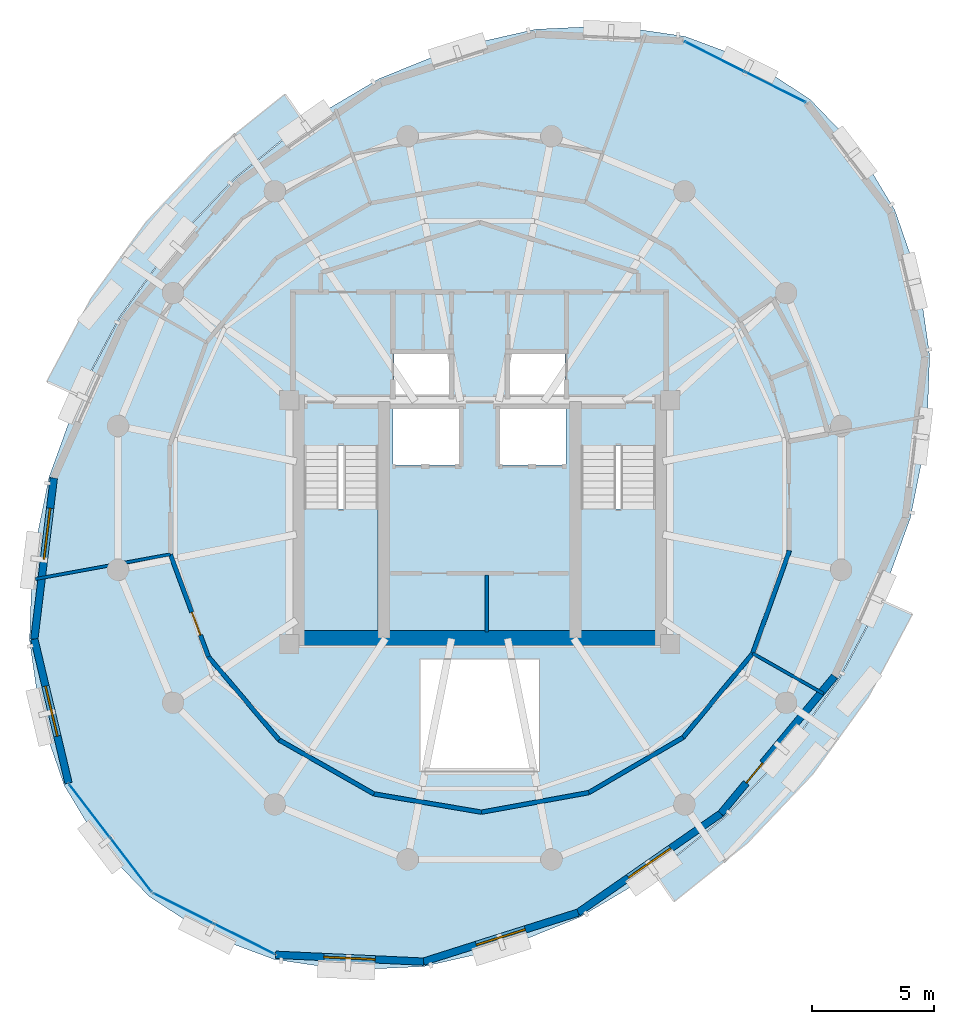
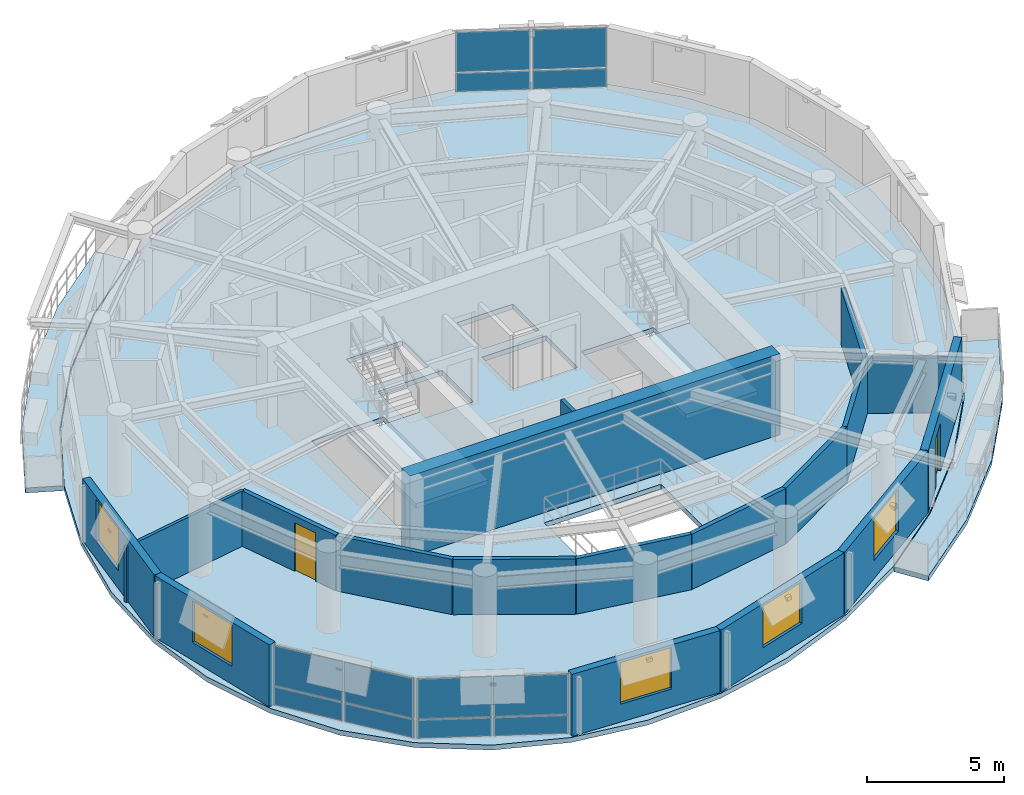
# One storey, part 6 of 11: 18 walls, 12 plates, 5 slabs, 5 windows, 2 doors, 7 openings, 5 elements without a shape of their own.
"""IFC4 building model written with IfcOpenShell, lengths in metres."""

import ifcopenshell
import ifcopenshell.guid

model = None  # the IFC model being written
_history = None  # IfcOwnerHistory: only IFC2X3 demands one
_inside = {}  # id of a spatial element -> (the spatial element, [elements in it])
_under = {}  # id of a project, library or spatial element -> (it, [spatial elements below it])
_declared = {}  # id of a project -> (the project, [libraries it declares])
_typed = {}  # id of a type object -> (the type object, [elements of that type])
_made_of = {}  # id of a material, layer set ... -> (it, [elements and type objects made of it])


def new_model(schema):
    """Start an empty IFC model of exactly this schema.

    Asked for "IFC4X3", IfcOpenShell would pick the latest addendum, in which some entities
    have other attributes; the version numbers below select the first issue.
    IFC2X3 requires an IfcOwnerHistory on every rooted entity: one is made here for all.
    """
    global model, _history
    if schema == "IFC4X3":
        model = ifcopenshell.file(schema_version=(4, 3, 0, 0))
    else:
        model = ifcopenshell.file(schema=schema)
    _inside.clear()
    _under.clear()
    _declared.clear()
    _typed.clear()
    _made_of.clear()
    _history = None
    if model.schema == "IFC2X3":
        org = make("IfcOrganization", Name="unknown")
        user = make(
            "IfcPersonAndOrganization",
            ThePerson=make("IfcPerson", FamilyName="unknown"),
            TheOrganization=org,
        )
        app = make(
            "IfcApplication",
            ApplicationDeveloper=org,
            Version="unknown",
            ApplicationFullName="unknown",
            ApplicationIdentifier="unknown",
        )
        _history = make(
            "IfcOwnerHistory",
            OwningUser=user,
            OwningApplication=app,
            ChangeAction="ADDED",
            CreationDate=0,
        )
    return model


def make(cls, **values):
    """One entity of the class cls with the attributes given. An attribute that is None is left unset."""
    return model.create_entity(
        cls, **{name: value for name, value in values.items() if value is not None}
    )


def rooted(cls, **values):
    """An entity with a GlobalId (a new one), such as an element, a storey or a relation."""
    return make(cls, GlobalId=ifcopenshell.guid.new(), OwnerHistory=_history, **values)


def si_unit(unit_type, name, prefix=None):
    """IfcSIUnit, for example si_unit("LENGTHUNIT", "METRE", prefix="MILLI")."""
    return make("IfcSIUnit", UnitType=unit_type, Prefix=prefix, Name=name)


def assignment(units):
    """IfcUnitAssignment: the units of a project."""
    return None if units is None else make("IfcUnitAssignment", Units=units)


def point(xyz):
    """IfcCartesianPoint."""
    return None if xyz is None else make("IfcCartesianPoint", Coordinates=xyz)


def direction(xyz):
    """IfcDirection."""
    return None if xyz is None else make("IfcDirection", DirectionRatios=xyz)


def frame(location, z_axis=None, x_axis=None):
    """IfcAxis2Placement3D, a coordinate frame: its origin and axes. An axis left out is left unset."""
    return make(
        "IfcAxis2Placement3D",
        Location=point(location),
        Axis=direction(z_axis),
        RefDirection=direction(x_axis),
    )


def frame_2d(location, x_axis=None):
    """IfcAxis2Placement2D, a coordinate frame in the plane: its origin and x axis."""
    return make(
        "IfcAxis2Placement2D", Location=point(location), RefDirection=direction(x_axis)
    )


def origin():
    """The frame at (0, 0, 0) with its axes left unset."""
    return frame((0.0, 0.0, 0.0))


def origin_2d():
    """The frame at (0, 0) in the plane with its x axis left unset."""
    return frame_2d((0.0, 0.0))


def place(relative_to, where):
    """IfcLocalPlacement: puts the frame where relative to a parent placement (None: the world)."""
    return make(
        "IfcLocalPlacement", PlacementRelTo=relative_to, RelativePlacement=where
    )


def context(
    kind, dimensions, precision=None, world=None, true_north=None, identifier=None
):
    """IfcGeometricRepresentationContext, for example the 3D "Model" context."""
    return make(
        "IfcGeometricRepresentationContext",
        ContextIdentifier=identifier,
        ContextType=kind,
        CoordinateSpaceDimension=dimensions,
        Precision=precision,
        WorldCoordinateSystem=world,
        TrueNorth=true_north,
    )


def subcontext(parent, identifier, kind, view, scale=None):
    """IfcGeometricRepresentationSubContext, for example "Body" below "Model"."""
    return make(
        "IfcGeometricRepresentationSubContext",
        ContextIdentifier=identifier,
        ContextType=kind,
        ParentContext=parent,
        TargetScale=scale,
        TargetView=view,
    )


def project(units=None, contexts=None):
    """IfcProject with its units and contexts."""
    return rooted(
        "IfcProject",
        Name="project",
        RepresentationContexts=contexts,
        UnitsInContext=assignment(units),
    )


def spatial(cls, under=None, at=None, **own):
    """A site, building, storey or space (cls), placed at a placement, below another one or the project."""
    s = rooted(cls, ObjectPlacement=at, **own)
    if under is not None:
        _under.setdefault(under.id(), (under, []))[1].append(s)
    return s


def polyline(points):
    """IfcPolyline through the points."""
    return make("IfcPolyline", Points=[point(p) for p in points])


def profile(cls, at=None, kind="AREA", **sizes):
    """A parametric profile (cls). Its sizes go by their IFC names, for example OverallWidth=200.0."""
    return make(cls, ProfileType=kind, Position=at, **sizes)


def rectangle(**sizes):
    """IfcRectangleProfileDef."""
    return profile("IfcRectangleProfileDef", **sizes)


def outline(outer, holes=None, kind="AREA"):
    """IfcArbitraryClosedProfileDef: a profile drawn as a closed curve; with holes, ...WithVoids."""
    if holes is None:
        return make("IfcArbitraryClosedProfileDef", ProfileType=kind, OuterCurve=outer)
    return make(
        "IfcArbitraryProfileDefWithVoids",
        ProfileType=kind,
        OuterCurve=outer,
        InnerCurves=holes,
    )


def extrude(swept, where, along, depth):
    """IfcExtrudedAreaSolid: the profile swept, set in the frame where, extruded along a direction by depth."""
    return make(
        "IfcExtrudedAreaSolid",
        SweptArea=swept,
        Position=where,
        ExtrudedDirection=direction(along),
        Depth=depth,
    )


def shape(context_of_items, identifier, shape_type, items):
    """IfcShapeRepresentation: the items that make up one representation, for example the "Body"."""
    return make(
        "IfcShapeRepresentation",
        ContextOfItems=context_of_items,
        RepresentationIdentifier=identifier,
        RepresentationType=shape_type,
        Items=items,
    )


def material(Name=None, Category=None):
    """IfcMaterial."""
    return make("IfcMaterial", Name=Name, Category=Category)


def layer(
    of_material, thickness, ventilated=None, Name=None, Category=None, Priority=None
):
    """IfcMaterialLayer: one layer of a wall or slab, of a material (None: an air gap)."""
    return make(
        "IfcMaterialLayer",
        Material=of_material,
        LayerThickness=thickness,
        IsVentilated=ventilated,
        Name=Name,
        Category=Category,
        Priority=Priority,
    )


def layer_set(layers, Name=None):
    """IfcMaterialLayerSet."""
    return make("IfcMaterialLayerSet", MaterialLayers=layers, LayerSetName=Name)


def made_of(thing, what):
    """Note that an element or type object is made of a material, layer set ...; save() writes the relation."""
    if what is not None:
        _made_of.setdefault(what.id(), (what, []))[1].append(thing)
    return thing


def type_object(cls, material=None, **own):
    """A type object (cls), such as IfcWallType, which elements share."""
    return made_of(rooted(cls, **own), material)


def element(
    cls,
    number,
    at=None,
    inside=None,
    cuts=None,
    type_object=None,
    material=None,
    context=None,
    identifier="Body",
    shape_type=None,
    held_by="IfcProductDefinitionShape",
    body=None,
    shapes=None,
    **own,
):
    """One element of the class cls, such as IfcWall. Its Tag is "e" and its number.

    at: its placement. inside: the storey or other place that contains it. cuts: it is an
    opening in that element (IfcRelVoidsElement). A single representation is given by context,
    identifier, shape_type and body (its items); several are given by shapes. held_by: the class
    of the entity that holds the representations. save() writes the other relations.
    """
    e = rooted(cls, Tag="e%d" % number, ObjectPlacement=at, **own)
    if body is not None:
        shapes = [shape(context, identifier, shape_type, body)]
    if shapes is not None:
        e.Representation = make(held_by, Representations=shapes)
    if inside is not None:
        _inside.setdefault(inside.id(), (inside, []))[1].append(e)
    if cuts is not None:
        rooted(
            "IfcRelVoidsElement", RelatingBuildingElement=cuts, RelatedOpeningElement=e
        )
    if type_object is not None:
        _typed.setdefault(type_object.id(), (type_object, []))[1].append(e)
    return made_of(e, material)


def fill(opening, filler):
    """IfcRelFillsElement: the door or window that sits in an opening."""
    return rooted(
        "IfcRelFillsElement",
        RelatingOpeningElement=opening,
        RelatedBuildingElement=filler,
    )


def aggregate(whole, parts):
    """IfcRelAggregates: a whole, such as a stair, and the parts it consists of."""
    return rooted("IfcRelAggregates", RelatingObject=whole, RelatedObjects=parts)


def save(model, path):
    """Write the relations noted so far, then the file.

    IfcRelAggregates (storeys below a building ...), IfcRelContainedInSpatialStructure (elements
    in a storey), IfcRelDefinesByType, IfcRelAssociatesMaterial and IfcRelDeclares: one each for
    every whole, place, type object, material and project.
    """
    for whole, parts in _under.values():
        aggregate(whole, parts)
    for where, things in _inside.values():
        rooted(
            "IfcRelContainedInSpatialStructure",
            RelatedElements=things,
            RelatingStructure=where,
        )
    for kind, things in _typed.values():
        rooted("IfcRelDefinesByType", RelatedObjects=things, RelatingType=kind)
    for what, things in _made_of.values():
        rooted("IfcRelAssociatesMaterial", RelatedObjects=things, RelatingMaterial=what)
    for by, libraries in _declared.values():
        rooted("IfcRelDeclares", RelatingContext=by, RelatedDefinitions=libraries)
    model.write(path)


model = new_model("IFC4")

# Units and contexts
model_context = context("Model", 3, precision=1e-05, world=origin(), true_north=direction((0.0, 1.0)))
body_context = subcontext(model_context, "Body", "Model", "MODEL_VIEW")
ifc_project = project(units=[si_unit("LENGTHUNIT", "METRE"), si_unit("AREAUNIT", "SQUARE_METRE"), si_unit("VOLUMEUNIT", "CUBIC_METRE"), si_unit("PLANEANGLEUNIT", "RADIAN"), si_unit("MASSUNIT", "GRAM", prefix="KILO"), si_unit("THERMODYNAMICTEMPERATUREUNIT", "KELVIN"), si_unit("POWERUNIT", "WATT")], contexts=[model_context])

# Site, building, storey
site_placement = place(None, origin())
site = spatial("IfcSite", under=ifc_project, at=site_placement, CompositionType="ELEMENT")
building_placement = place(site_placement, origin())
building = spatial("IfcBuilding", under=site, at=building_placement, Name="Ocrelia Relay Tower", CompositionType="ELEMENT")
storey_placement = place(building_placement, frame((0.0, 0.0, 241.199951171875)))
storey = spatial("IfcBuildingStorey", under=building, at=storey_placement, Name="L59", CompositionType="ELEMENT", Elevation=241.199951171875)

# Curtain wall, plates
ifc_material_1 = material(Name="Aluminium and solar-control low-E glass", Category="aluminium")
ifc_layer_1 = layer(ifc_material_1, 0.179931640625, Name="Aluminium and solar-control low-E glass")
ifc_layer_set_1 = layer_set([ifc_layer_1], Name="Aluminium and solar-control low-E glass")
curtain_wall_type = type_object("IfcCurtainWallType", Name="CW-SYS-Z4-EXEC", PredefinedType="NOTDEFINED", material=ifc_layer_set_1)
curtain_wall_1_placement = place(storey_placement, origin())
curtain_wall_1 = element("IfcCurtainWall", 1, at=curtain_wall_1_placement, inside=storey, type_object=curtain_wall_type, Name="L59 Elliptical Tower Curtain Wall Bay 01", PredefinedType="NOTDEFINED")
ifc_material_2 = material(Name="Clear double-glazed low-E glass", Category="glass")
ifc_layer_2 = layer(ifc_material_2, 0.031982421875, Name="Clear double-glazed low-E glass")
ifc_layer_set_2 = layer_set([ifc_layer_2], Name="Clear double-glazed low-E glass")
plate_type = type_object("IfcPlateType", Name="CW-SYS-Z4-EXEC-PNL", PredefinedType="CURTAIN_PANEL", material=ifc_layer_set_2)
plate_1_placement = place(storey_placement, frame((46.12353515625, 42.81103515625, 0.06005859375), z_axis=(0.0, 0.0, 1.0), x_axis=(-0.893387671077, 0.449286622511, 0.0)))
plate_1 = element("IfcPlate", 2, at=plate_1_placement, type_object=plate_type, Name="CW-Z4 panel 1.1", PredefinedType="CURTAIN_PANEL", context=body_context, shape_type="SweptSolid", body=[
    extrude(rectangle(XDim=2.7275390625, YDim=0.031982421875, at=origin_2d()), origin(), (0.0, 0.0, 1.0), 0.81005859375),
])
plate_2_placement = place(storey_placement, frame((46.12353515625, 42.81103515625, 0.929931640625), z_axis=(0.0, 0.0, 1.0), x_axis=(-0.893387671077, 0.449286622511, 0.0)))
plate_2 = element("IfcPlate", 3, at=plate_2_placement, type_object=plate_type, Name="CW-Z4 panel 1.2", PredefinedType="CURTAIN_PANEL", context=body_context, shape_type="SweptSolid", body=[
    extrude(rectangle(XDim=2.7275390625, YDim=0.031982421875, at=origin_2d()), origin(), (0.0, 0.0, 1.0), 1.77001953125),
])
plate_3_placement = place(storey_placement, frame((43.628662109375, 44.065673828125, 0.06005859375), z_axis=(0.0, 0.0, 1.0), x_axis=(-0.893387671077, 0.449286622511, 0.0)))
plate_3 = element("IfcPlate", 4, at=plate_3_placement, type_object=plate_type, Name="CW-Z4 panel 2.1", PredefinedType="CURTAIN_PANEL", context=body_context, shape_type="SweptSolid", body=[
    extrude(rectangle(XDim=2.7275390625, YDim=0.031982421875, at=origin_2d()), origin(), (0.0, 0.0, 1.0), 0.81005859375),
])
plate_4_placement = place(storey_placement, frame((43.628662109375, 44.065673828125, 0.929931640625), z_axis=(0.0, 0.0, 1.0), x_axis=(-0.893387671077, 0.449286622511, 0.0)))
plate_4 = element("IfcPlate", 5, at=plate_4_placement, type_object=plate_type, Name="CW-Z4 panel 2.2", PredefinedType="CURTAIN_PANEL", context=body_context, shape_type="SweptSolid", body=[
    extrude(rectangle(XDim=2.7275390625, YDim=0.031982421875, at=origin_2d()), origin(), (0.0, 0.0, 1.0), 1.77001953125),
])
aggregate(curtain_wall_1, [plate_1, plate_2, plate_3, plate_4])

curtain_wall_2_placement = place(storey_placement, origin())
curtain_wall_2 = element("IfcCurtainWall", 6, at=curtain_wall_2_placement, inside=storey, type_object=curtain_wall_type, Name="L59 Elliptical Tower Curtain Wall Bay 09", PredefinedType="NOTDEFINED")
plate_5_placement = place(storey_placement, frame((18.0361328125, 13.1845703125, 0.06005859375), z_axis=(0.0, 0.0, 1.0), x_axis=(0.607348280111, -0.794435690693, 0.0)))
plate_5 = element("IfcPlate", 7, at=plate_5_placement, type_object=plate_type, Name="CW-Z4 panel 1.1", PredefinedType="CURTAIN_PANEL", context=body_context, shape_type="SweptSolid", body=[
    extrude(rectangle(XDim=2.7275390625, YDim=0.031982421875, at=origin_2d()), origin(), (0.0, 0.0, 1.0), 0.81005859375),
])
plate_6_placement = place(storey_placement, frame((18.0361328125, 13.1845703125, 0.929931640625), z_axis=(0.0, 0.0, 1.0), x_axis=(0.607348280111, -0.794435690693, 0.0)))
plate_6 = element("IfcPlate", 8, at=plate_6_placement, type_object=plate_type, Name="CW-Z4 panel 1.2", PredefinedType="CURTAIN_PANEL", context=body_context, shape_type="SweptSolid", body=[
    extrude(rectangle(XDim=2.7275390625, YDim=0.031982421875, at=origin_2d()), origin(), (0.0, 0.0, 1.0), 1.77001953125),
])
plate_7_placement = place(storey_placement, frame((19.732177734375, 10.966064453125, 0.06005859375), z_axis=(0.0, 0.0, 1.0), x_axis=(0.607348280111, -0.794435690693, 0.0)))
plate_7 = element("IfcPlate", 9, at=plate_7_placement, type_object=plate_type, Name="CW-Z4 panel 2.1", PredefinedType="CURTAIN_PANEL", context=body_context, shape_type="SweptSolid", body=[
    extrude(rectangle(XDim=2.7275390625, YDim=0.031982421875, at=origin_2d()), origin(), (0.0, 0.0, 1.0), 0.81005859375),
])
plate_8_placement = place(storey_placement, frame((19.732177734375, 10.966064453125, 0.929931640625), z_axis=(0.0, 0.0, 1.0), x_axis=(0.607348280111, -0.794435690693, 0.0)))
plate_8 = element("IfcPlate", 10, at=plate_8_placement, type_object=plate_type, Name="CW-Z4 panel 2.2", PredefinedType="CURTAIN_PANEL", context=body_context, shape_type="SweptSolid", body=[
    extrude(rectangle(XDim=2.7275390625, YDim=0.031982421875, at=origin_2d()), origin(), (0.0, 0.0, 1.0), 1.77001953125),
])
aggregate(curtain_wall_2, [plate_5, plate_6, plate_7, plate_8])

curtain_wall_3_placement = place(storey_placement, origin())
curtain_wall_3 = element("IfcCurtainWall", 11, at=curtain_wall_3_placement, inside=storey, type_object=curtain_wall_type, Name="L59 Elliptical Tower Curtain Wall Bay 10", PredefinedType="NOTDEFINED")
plate_9_placement = place(storey_placement, frame((21.87646484375, 9.18896484375, 0.06005859375), z_axis=(0.0, 0.0, 1.0), x_axis=(0.893387671077, -0.449286622511, 0.0)))
plate_9 = element("IfcPlate", 12, at=plate_9_placement, type_object=plate_type, Name="CW-Z4 panel 1.1", PredefinedType="CURTAIN_PANEL", context=body_context, shape_type="SweptSolid", body=[
    extrude(rectangle(XDim=2.7275390625, YDim=0.031982421875, at=origin_2d()), origin(), (0.0, 0.0, 1.0), 0.81005859375),
])
plate_10_placement = place(storey_placement, frame((21.87646484375, 9.18896484375, 0.929931640625), z_axis=(0.0, 0.0, 1.0), x_axis=(0.893387671077, -0.449286622511, 0.0)))
plate_10 = element("IfcPlate", 13, at=plate_10_placement, type_object=plate_type, Name="CW-Z4 panel 1.2", PredefinedType="CURTAIN_PANEL", context=body_context, shape_type="SweptSolid", body=[
    extrude(rectangle(XDim=2.7275390625, YDim=0.031982421875, at=origin_2d()), origin(), (0.0, 0.0, 1.0), 1.77001953125),
])
plate_11_placement = place(storey_placement, frame((24.371337890625, 7.934326171875, 0.06005859375), z_axis=(0.0, 0.0, 1.0), x_axis=(0.893387671077, -0.449286622511, 0.0)))
plate_11 = element("IfcPlate", 14, at=plate_11_placement, type_object=plate_type, Name="CW-Z4 panel 2.1", PredefinedType="CURTAIN_PANEL", context=body_context, shape_type="SweptSolid", body=[
    extrude(rectangle(XDim=2.7275390625, YDim=0.031982421875, at=origin_2d()), origin(), (0.0, 0.0, 1.0), 0.81005859375),
])
plate_12_placement = place(storey_placement, frame((24.371337890625, 7.934326171875, 0.929931640625), z_axis=(0.0, 0.0, 1.0), x_axis=(0.893387671077, -0.449286622511, 0.0)))
plate_12 = element("IfcPlate", 15, at=plate_12_placement, type_object=plate_type, Name="CW-Z4 panel 2.2", PredefinedType="CURTAIN_PANEL", context=body_context, shape_type="SweptSolid", body=[
    extrude(rectangle(XDim=2.7275390625, YDim=0.031982421875, at=origin_2d()), origin(), (0.0, 0.0, 1.0), 1.77001953125),
])
aggregate(curtain_wall_3, [plate_9, plate_10, plate_11, plate_12])

# Slabs
ifc_material_3 = material(Name="Precast concrete C40/50", Category="concrete")
ifc_layer_3 = layer(ifc_material_3, 0.219970703125, Name="Precast concrete C40/50")
ifc_layer_set_3 = layer_set([ifc_layer_3], Name="Precast concrete C40/50")
slab_type_1 = type_object("IfcSlabType", Name="SL-BALC-220", PredefinedType="FLOOR", material=ifc_layer_set_3)
slab_1_placement = place(storey_placement, frame((0.0, 0.0, -0.219970703125)))
element("IfcSlab", 16, at=slab_1_placement, inside=storey, type_object=slab_type_1, Name="L59 Planted Loggia Balcony B1", PredefinedType="FLOOR", context=body_context, shape_type="SweptSolid", body=[
    extrude(outline(polyline([(26.816162109375, 41.381103515625), (25.392578125, 40.240234375), (23.968994140625, 39.099609375), (21.426513671875, 36.420166015625), (19.265869140625, 33.42431640625), (18.4091796875, 31.813720703125), (17.552490234375, 30.203125), (16.279052734375, 30.769287109375), (17.180908203125, 32.465087890625), (18.0830078125, 34.16064453125), (20.35400390625, 37.30908203125), (23.02587890625, 40.125), (24.524658203125, 41.326171875), (26.023681640625, 42.52734375), (26.816162109375, 41.381103515625)])), origin(), (0.0, 0.0, 1.0), 0.219970703125),
])
slab_2_placement = place(storey_placement, frame((0.0, 0.0, -0.219970703125)))
element("IfcSlab", 17, at=slab_2_placement, inside=storey, type_object=slab_type_1, Name="L59 Planted Loggia Balcony B2", PredefinedType="FLOOR", context=body_context, shape_type="SweptSolid", body=[
    extrude(outline(polyline([(41.183837890625, 10.618896484375), (42.607421875, 11.759765625), (44.031005859375, 12.900390625), (46.573486328125, 15.579833984375), (48.734130859375, 18.57568359375), (49.5908203125, 20.186279296875), (50.447509765625, 21.796875), (51.720947265625, 21.230712890625), (50.819091796875, 19.534912109375), (49.9169921875, 17.83935546875), (47.64599609375, 14.69091796875), (44.97412109375, 11.875), (43.475341796875, 10.673828125), (41.976318359375, 9.47265625), (41.183837890625, 10.618896484375)])), origin(), (0.0, 0.0, 1.0), 0.219970703125),
])
ifc_material_4 = material(Name="Concrete C50/60", Category="concrete")
ifc_layer_4 = layer(ifc_material_4, 0.219970703125, Name="Concrete C50/60")
ifc_layer_set_4 = layer_set([ifc_layer_4], Name="Concrete C50/60")
slab_type_2 = type_object("IfcSlabType", Name="SL-FLR-220", PredefinedType="FLOOR", material=ifc_layer_set_4)
slab_3_placement = place(storey_placement, frame((0.0, 0.0, -0.219970703125)))
element("IfcSlab", 18, at=slab_3_placement, inside=storey, type_object=slab_type_2, Name="L59 Elliptical Tower Floor Slab", PredefinedType="FLOOR", context=body_context, shape_type="SweptSolid", body=[
    extrude(outline(polyline([(47.527587890625, 42.322998046875), (45.142822265625, 43.881103515625), (42.41943359375, 44.89599609375), (39.440185546875, 45.336669921875), (36.295654296875, 45.189697265625), (33.081298828125, 44.4599609375), (29.89501953125, 43.1689453125), (26.833251953125, 41.3564453125), (23.989501953125, 39.077392578125), (21.44970703125, 36.40087890625), (19.291259765625, 33.408447265625), (17.579833984375, 30.19091796875), (16.3671875, 26.845947265625), (15.6904296875, 23.475341796875), (15.570068359375, 20.181396484375), (16.009521484375, 17.064208984375), (16.99560546875, 14.21875), (18.49853515625, 11.73095703125), (20.472412109375, 9.677001953125), (22.857177734375, 8.118896484375), (25.58056640625, 7.10400390625), (28.559814453125, 6.663330078125), (31.704345703125, 6.810302734375), (34.918701171875, 7.5400390625), (38.10498046875, 8.8310546875), (41.166748046875, 10.6435546875), (44.010498046875, 12.922607421875), (46.55029296875, 15.59912109375), (48.708740234375, 18.591552734375), (50.420166015625, 21.80908203125), (51.6328125, 25.154052734375), (52.3095703125, 28.524658203125), (52.429931640625, 31.818603515625), (51.990478515625, 34.935791015625), (51.00439453125, 37.78125), (49.50146484375, 40.26904296875), (47.527587890625, 42.322998046875)]), holes=[polyline([(26.81005859375, 28.14990234375), (26.81005859375, 20.550048828125), (29.85009765625, 20.550048828125), (29.85009765625, 28.14990234375), (26.81005859375, 28.14990234375)]), polyline([(38.159912109375, 28.14990234375), (38.159912109375, 20.550048828125), (41.199951171875, 20.550048828125), (41.199951171875, 28.14990234375), (38.159912109375, 28.14990234375)]), polyline([(30.4599609375, 27.35009765625), (33.159912109375, 27.35009765625), (33.159912109375, 29.64990234375), (30.4599609375, 29.64990234375), (30.4599609375, 27.35009765625)]), polyline([(34.840087890625, 27.35009765625), (37.5400390625, 27.35009765625), (37.5400390625, 29.64990234375), (34.840087890625, 29.64990234375), (34.840087890625, 27.35009765625)]), polyline([(30.5, 30.10009765625), (32.85009765625, 30.10009765625), (32.85009765625, 32.0), (30.5, 32.0), (30.5, 30.10009765625)]), polyline([(35.14990234375, 30.10009765625), (37.5, 30.10009765625), (37.5, 32.0), (35.14990234375, 32.0), (35.14990234375, 30.10009765625)]), polyline([(31.550048828125, 14.800048828125), (36.449951171875, 14.800048828125), (36.449951171875, 19.39990234375), (31.550048828125, 19.39990234375), (31.550048828125, 14.800048828125)])]), origin(), (0.0, 0.0, 1.0), 0.219970703125),
])

# Stair, slab
stair_type = type_object("IfcStairType", Name="ST-DL-1420-R180", PredefinedType="HALF_TURN_STAIR", material=ifc_material_4)
stair_1_placement = place(storey_placement, origin())
stair_1 = element("IfcStair", 19, at=stair_1_placement, inside=storey, type_object=stair_type, Name="L59 West Core Exit Stair ST1", PredefinedType="HALF_TURN_STAIR")
ifc_layer_5 = layer(ifc_material_4, 0.199951171875, Name="Concrete C50/60")
ifc_layer_set_5 = layer_set([ifc_layer_5], Name="Concrete C50/60")
slab_type_3 = type_object("IfcSlabType", Name="SL-LANDING-200", PredefinedType="LANDING", material=ifc_layer_set_5)
slab_4_placement = place(storey_placement, frame((0.0, 0.0, 1.60009765625)))
slab_4 = element("IfcSlab", 20, at=slab_4_placement, type_object=slab_type_3, Name="ST1 landing 1", PredefinedType="LANDING", context=body_context, shape_type="SweptSolid", body=[
    extrude(outline(polyline([(26.81005859375, 25.5400390625), (26.81005859375, 20.550048828125), (29.85009765625, 20.550048828125), (29.85009765625, 25.5400390625), (26.81005859375, 25.5400390625)])), origin(), (0.0, 0.0, 1.0), 0.199951171875),
])
aggregate(stair_1, [slab_4])

stair_2_placement = place(storey_placement, origin())
stair_2 = element("IfcStair", 21, at=stair_2_placement, inside=storey, type_object=stair_type, Name="L59 East Core Exit Stair ST2", PredefinedType="HALF_TURN_STAIR")
slab_5_placement = place(storey_placement, frame((0.0, 0.0, 1.60009765625)))
slab_5 = element("IfcSlab", 22, at=slab_5_placement, type_object=slab_type_3, Name="ST2 landing 1", PredefinedType="LANDING", context=body_context, shape_type="SweptSolid", body=[
    extrude(outline(polyline([(38.159912109375, 25.5400390625), (38.159912109375, 20.550048828125), (41.199951171875, 20.550048828125), (41.199951171875, 25.5400390625), (38.159912109375, 25.5400390625)])), origin(), (0.0, 0.0, 1.0), 0.199951171875),
])
aggregate(stair_2, [slab_5])

# Wall
ifc_layer_6 = layer(ifc_material_4, 0.60009765625, Name="Concrete C50/60")
ifc_layer_set_6 = layer_set([ifc_layer_6], Name="Concrete C50/60")
wall_type_1 = type_object("IfcWallType", Name="CW-CORE-600B", PredefinedType="SHEAR", material=ifc_layer_set_6)
wall_1_placement = place(storey_placement, frame((26.221923828125, 20.261962890625, 0.0), z_axis=(0.0, 0.0, 1.0), x_axis=(1.0, 0.0, 0.0)))
element("IfcWall", 23, at=wall_1_placement, inside=storey, type_object=wall_type_1, Name="L59 Core Shear Wall S", PredefinedType="SHEAR", context=body_context, shape_type="SweptSolid", body=[
    extrude(rectangle(XDim=15.566162109375, YDim=0.60009765625, at=frame_2d((7.783203125, 0.0))), origin(), (0.0, 0.0, 1.0), 3.60009765625),
])

# Wall, opening, door
ifc_material_5 = material(Name="Gypsum Fireboard Partition EI60", Category="gypsum")
ifc_layer_7 = layer(ifc_material_5, 0.179931640625, Name="Gypsum Fireboard Partition EI60")
ifc_layer_set_7 = layer_set([ifc_layer_7], Name="Gypsum Fireboard Partition EI60")
wall_type_2 = type_object("IfcWallType", Name="W-CORR-EI60-180", PredefinedType="PARTITIONING", material=ifc_layer_set_7)
wall_2_placement = place(storey_placement, frame((21.33935546875, 23.687744140625, 0.0), z_axis=(0.0, 0.0, 1.0), x_axis=(0.347775071594, -0.93757799653, 0.0)))
wall_2 = element("IfcWall", 24, at=wall_2_placement, inside=storey, type_object=wall_type_2, Name="L59 Arbitration Room Corridor Partition 1", PredefinedType="PARTITIONING", context=body_context, shape_type="SweptSolid", body=[
    extrude(rectangle(XDim=4.4697265625, YDim=0.179931640625, at=frame_2d((2.23486328125, 0.0))), origin(), (0.0, 0.0, 1.0), 2.4599609375),
])
opening_1_placement = place(wall_2_placement, frame((2.52734375, 0.0, 0.0)))
opening_1 = element("IfcOpeningElement", 25, at=opening_1_placement, cuts=wall_2, Name="Opening D-RM100", PredefinedType="OPENING", context=body_context, shape_type="SweptSolid", body=[
    extrude(rectangle(XDim=1.0, YDim=2.14990234375, at=frame_2d((0.5, 1.074951171875))), frame((0.0, 0.10009765625, 0.0), z_axis=(0.0, -1.0, 0.0), x_axis=(1.0, 0.0, 0.0)), (0.0, 0.0, 1.0), 0.199951171875),
])
ifc_material_6 = material(Name="Acoustic oak veneer fire door", Category="wood")
door_type_1 = type_object("IfcDoorType", Name="DR-ROOM-FD60-1000", OperationType="NOTDEFINED", PredefinedType="DOOR", material=ifc_material_6)
door_1_placement = place(opening_1_placement, origin())
door_1 = element("IfcDoor", 26, at=door_1_placement, inside=storey, type_object=door_type_1, Name="L59 Arbitration Room Entrance Door", OperationType="SINGLE_SWING_RIGHT", OverallHeight=2.14990234375, OverallWidth=1.0, PredefinedType="DOOR", context=body_context, shape_type="SweptSolid", body=[
    extrude(rectangle(XDim=1.0, YDim=2.14990234375, at=frame_2d((0.5, 1.074951171875))), frame((0.0, 0.02490234375, 0.0), z_axis=(0.0, -1.0, 0.0), x_axis=(1.0, 0.0, 0.0)), (0.0, 0.0, 1.0), 0.050048828125),
])
fill(opening_1, door_1)

# Walls
wall_3_placement = place(storey_placement, frame((22.893798828125, 19.4970703125, 0.0), z_axis=(0.0, 0.0, 1.0), x_axis=(0.647451785815, -0.762106413203, 0.0)))
element("IfcWall", 27, at=wall_3_placement, inside=storey, type_object=wall_type_2, Name="L59 Arbitration Room Corridor Partition 2", PredefinedType="PARTITIONING", context=body_context, shape_type="SweptSolid", body=[
    extrude(rectangle(XDim=4.469482421875, YDim=0.179931640625, at=frame_2d((2.23486328125, 0.0))), origin(), (0.0, 0.0, 1.0), 2.4599609375),
])
wall_4_placement = place(storey_placement, frame((25.78759765625, 16.0908203125, 0.0), z_axis=(0.0, 0.0, 1.0), x_axis=(0.869041970941, -0.494738367971, 0.0)))
element("IfcWall", 28, at=wall_4_placement, inside=storey, type_object=wall_type_2, Name="L59 Arbitration Room Corridor Partition 3", PredefinedType="PARTITIONING", context=body_context, shape_type="SweptSolid", body=[
    extrude(rectangle(XDim=4.469970703125, YDim=0.179931640625, at=frame_2d((2.23486328125, 0.0))), origin(), (0.0, 0.0, 1.0), 2.4599609375),
])
for number, where, z_axis, x_axis, name in (
    (29, (29.672119140625, 13.87939453125, 0.0), (0.0, 0.0, 1.0), (0.985849799471, -0.167631061808, 0.0), "L59 Arbitration Room Corridor Partition 4"),
    (30, (34.07861328125, 13.130126953125, 0.0), (0.0, 0.0, 1.0), (0.983721002142, 0.179702504, 0.0), "L59 Arbitration Room Corridor Partition 5"),
    (31, (38.4755859375, 13.933349609375, 0.0), (0.0, 0.0, 1.0), (0.862971485052, 0.505252625909, 0.0), "L59 Arbitration Room Corridor Partition 6"),
    (32, (42.332763671875, 16.191650390625, 0.0), (0.0, 0.0, 1.0), (0.638070606168, 0.769977857828, 0.0), "L59 Arbitration Room Corridor Partition 7"),
):
    element("IfcWall", number, at=place(storey_placement, frame(where, z_axis=z_axis, x_axis=x_axis)), inside=storey, type_object=wall_type_2, Name=name, PredefinedType="PARTITIONING", context=body_context, shape_type="SweptSolid", body=[
        extrude(rectangle(XDim=4.4697265625, YDim=0.179931640625, at=frame_2d((2.23486328125, 0.0))), origin(), (0.0, 0.0, 1.0), 2.4599609375),
    ])
wall_5_placement = place(storey_placement, frame((45.184814453125, 19.63330078125, 0.0), z_axis=(0.0, 0.0, 1.0), x_axis=(0.336312175041, 0.941750561943, 0.0)))
element("IfcWall", 33, at=wall_5_placement, inside=storey, type_object=wall_type_2, Name="L59 Hospitality Servery Pantry Corridor Partition 1", PredefinedType="PARTITIONING", context=body_context, shape_type="SweptSolid", body=[
    extrude(rectangle(XDim=4.469482421875, YDim=0.179931640625, at=frame_2d((2.23486328125, 0.0))), origin(), (0.0, 0.0, 1.0), 2.4599609375),
])

# Wall, opening, window
ifc_material_7 = material(Name="Precast concrete C40/50 with oxide terracotta", Category="masonry")
ifc_layer_8 = layer(ifc_material_7, 0.300048828125, Name="Precast concrete C40/50 with oxide terracotta")
ifc_layer_set_8 = layer_set([ifc_layer_8], Name="Precast concrete C40/50 with oxide terracotta")
wall_type_3 = type_object("IfcWallType", Name="W-EXT-TERR-300", PredefinedType="SOLIDWALL", material=ifc_layer_set_8)
wall_6_placement = place(storey_placement, frame((16.564453125, 26.8125, 0.0), z_axis=(0.0, 0.0, 1.0), x_axis=(-0.120062472336, -0.992766338439, 0.0)))
wall_6 = element("IfcWall", 34, at=wall_6_placement, inside=storey, type_object=wall_type_3, Name="L59 Oxide Terracotta Facade Wall 07", PredefinedType="SOLIDWALL", context=body_context, shape_type="SweptSolid", body=[
    extrude(rectangle(XDim=6.643310546875, YDim=0.300048828125, at=frame_2d((3.32177734375, 0.0))), origin(), (0.0, 0.0, 1.0), 2.760009765625),
])
opening_2_placement = place(wall_6_placement, frame((1.2509765625, 0.0, 0.800048828125)))
opening_2 = element("IfcOpeningElement", 35, at=opening_2_placement, cuts=wall_6, Name="Opening W-07", PredefinedType="OPENING", context=body_context, shape_type="SweptSolid", body=[
    extrude(rectangle(XDim=2.10009765625, YDim=1.85009765625, at=frame_2d((1.050048828125, 0.925048828125))), frame((0.0, 0.16015625, 0.0), z_axis=(0.0, -1.0, 0.0), x_axis=(1.0, 0.0, 0.0)), (0.0, 0.0, 1.0), 0.320068359375),
])
window_type = type_object("IfcWindowType", Name="WIN-Z4-2100x2200", PartitioningType="DOUBLE_PANEL_VERTICAL", PredefinedType="WINDOW", material=ifc_material_2)
window_1_placement = place(opening_2_placement, origin())
window_1 = element("IfcWindow", 36, at=window_1_placement, inside=storey, type_object=window_type, Name="L59 Facade Module Window 07", OverallHeight=1.85009765625, OverallWidth=2.10009765625, PartitioningType="SINGLE_PANEL", PredefinedType="WINDOW", context=body_context, shape_type="SweptSolid", body=[
    extrude(rectangle(XDim=2.10009765625, YDim=1.85009765625, at=frame_2d((1.050048828125, 0.925048828125))), frame((0.0, 0.030029296875, 0.0), z_axis=(0.0, -1.0, 0.0), x_axis=(1.0, 0.0, 0.0)), (0.0, 0.0, 1.0), 0.06005859375),
])
fill(opening_2, window_1)

wall_7_placement = place(storey_placement, frame((15.766845703125, 20.21728515625, 0.0), z_axis=(0.0, 0.0, 1.0), x_axis=(0.23117584111, -0.972911984964, 0.0)))
wall_7 = element("IfcWall", 37, at=wall_7_placement, inside=storey, type_object=wall_type_3, Name="L59 Oxide Terracotta Facade Wall 08", PredefinedType="SOLIDWALL", context=body_context, shape_type="SweptSolid", body=[
    extrude(rectangle(XDim=6.06201171875, YDim=0.300048828125, at=frame_2d((3.031005859375, 0.0))), origin(), (0.0, 0.0, 1.0), 2.760009765625),
])
opening_3_placement = place(wall_7_placement, frame((1.98095703125, 0.0, 0.800048828125)))
opening_3 = element("IfcOpeningElement", 38, at=opening_3_placement, cuts=wall_7, Name="Opening W-07", PredefinedType="OPENING", context=body_context, shape_type="SweptSolid", body=[
    extrude(rectangle(XDim=2.10009765625, YDim=1.85009765625, at=frame_2d((1.050048828125, 0.925048828125))), frame((0.0, 0.16015625, 0.0), z_axis=(0.0, -1.0, 0.0), x_axis=(1.0, 0.0, 0.0)), (0.0, 0.0, 1.0), 0.320068359375),
])
window_2_placement = place(opening_3_placement, origin())
window_2 = element("IfcWindow", 39, at=window_2_placement, inside=storey, type_object=window_type, Name="L59 Facade Module Window 08", OverallHeight=1.85009765625, OverallWidth=2.10009765625, PartitioningType="SINGLE_PANEL", PredefinedType="WINDOW", context=body_context, shape_type="SweptSolid", body=[
    extrude(rectangle(XDim=2.10009765625, YDim=1.85009765625, at=frame_2d((1.050048828125, 0.925048828125))), frame((0.0, 0.030029296875, 0.0), z_axis=(0.0, -1.0, 0.0), x_axis=(1.0, 0.0, 0.0)), (0.0, 0.0, 1.0), 0.06005859375),
])
fill(opening_3, window_2)

wall_8_placement = place(storey_placement, frame((25.64794921875, 7.292236328125, 0.0), z_axis=(0.0, 0.0, 1.0), x_axis=(0.998917432733, -0.046518411209, 0.0)))
wall_8 = element("IfcWall", 40, at=wall_8_placement, inside=storey, type_object=wall_type_3, Name="L59 Oxide Terracotta Facade Wall 11", PredefinedType="SOLIDWALL", context=body_context, shape_type="SweptSolid", body=[
    extrude(rectangle(XDim=6.061767578125, YDim=0.300048828125, at=frame_2d((3.03076171875, 0.0))), origin(), (0.0, 0.0, 1.0), 2.760009765625),
])
opening_4_placement = place(wall_8_placement, frame((1.98095703125, 0.0, 0.800048828125)))
opening_4 = element("IfcOpeningElement", 41, at=opening_4_placement, cuts=wall_8, Name="Opening W-07", PredefinedType="OPENING", context=body_context, shape_type="SweptSolid", body=[
    extrude(rectangle(XDim=2.10009765625, YDim=1.85009765625, at=frame_2d((1.050048828125, 0.925048828125))), frame((0.0, 0.16015625, 0.0), z_axis=(0.0, -1.0, 0.0), x_axis=(1.0, 0.0, 0.0)), (0.0, 0.0, 1.0), 0.320068359375),
])
window_3_placement = place(opening_4_placement, origin())
window_3 = element("IfcWindow", 42, at=window_3_placement, inside=storey, type_object=window_type, Name="L59 Facade Module Window 11", OverallHeight=1.85009765625, OverallWidth=2.10009765625, PartitioningType="SINGLE_PANEL", PredefinedType="WINDOW", context=body_context, shape_type="SweptSolid", body=[
    extrude(rectangle(XDim=2.10009765625, YDim=1.85009765625, at=frame_2d((1.050048828125, 0.925048828125))), frame((0.0, 0.030029296875, 0.0), z_axis=(0.0, -1.0, 0.0), x_axis=(1.0, 0.0, 0.0)), (0.0, 0.0, 1.0), 0.06005859375),
])
fill(opening_4, window_3)

wall_9_placement = place(storey_placement, frame((31.703125, 7.01025390625, 0.0), z_axis=(0.0, 0.0, 1.0), x_axis=(0.953208683958, 0.302313090729, 0.0)))
wall_9 = element("IfcWall", 43, at=wall_9_placement, inside=storey, type_object=wall_type_3, Name="L59 Oxide Terracotta Facade Wall 12", PredefinedType="SOLIDWALL", context=body_context, shape_type="SweptSolid", body=[
    extrude(rectangle(XDim=6.64306640625, YDim=0.300048828125, at=frame_2d((3.321533203125, 0.0))), origin(), (0.0, 0.0, 1.0), 2.760009765625),
])
opening_5_placement = place(wall_9_placement, frame((2.27197265625, 0.0, 0.800048828125)))
opening_5 = element("IfcOpeningElement", 44, at=opening_5_placement, cuts=wall_9, Name="Opening W-07", PredefinedType="OPENING", context=body_context, shape_type="SweptSolid", body=[
    extrude(rectangle(XDim=2.10009765625, YDim=1.85009765625, at=frame_2d((1.050048828125, 0.925048828125))), frame((0.0, 0.16015625, 0.0), z_axis=(0.0, -1.0, 0.0), x_axis=(1.0, 0.0, 0.0)), (0.0, 0.0, 1.0), 0.320068359375),
])
window_4_placement = place(opening_5_placement, origin())
window_4 = element("IfcWindow", 45, at=window_4_placement, inside=storey, type_object=window_type, Name="L59 Facade Module Window 12", OverallHeight=1.85009765625, OverallWidth=2.10009765625, PartitioningType="SINGLE_PANEL", PredefinedType="WINDOW", context=body_context, shape_type="SweptSolid", body=[
    extrude(rectangle(XDim=2.10009765625, YDim=1.85009765625, at=frame_2d((1.050048828125, 0.925048828125))), frame((0.0, 0.030029296875, 0.0), z_axis=(0.0, -1.0, 0.0), x_axis=(1.0, 0.0, 0.0)), (0.0, 0.0, 1.0), 0.06005859375),
])
fill(opening_5, window_4)

wall_10_placement = place(storey_placement, frame((38.035400390625, 9.0185546875, 0.0), z_axis=(0.0, 0.0, 1.0), x_axis=(0.821575322213, 0.570099982399, 0.0)))
wall_10 = element("IfcWall", 46, at=wall_10_placement, inside=storey, type_object=wall_type_3, Name="L59 Oxide Terracotta Facade Wall 13", PredefinedType="SOLIDWALL", context=body_context, shape_type="SweptSolid", body=[
    extrude(rectangle(XDim=7.115234375, YDim=0.300048828125, at=frame_2d((3.5576171875, 0.0))), origin(), (0.0, 0.0, 1.0), 2.760009765625),
])
opening_6_placement = place(wall_10_placement, frame((2.508056640625, 0.0, 0.800048828125)))
opening_6 = element("IfcOpeningElement", 47, at=opening_6_placement, cuts=wall_10, Name="Opening W-07", PredefinedType="OPENING", context=body_context, shape_type="SweptSolid", body=[
    extrude(rectangle(XDim=2.10009765625, YDim=1.85009765625, at=frame_2d((1.050048828125, 0.925048828125))), frame((0.0, 0.16015625, 0.0), z_axis=(0.0, -1.0, 0.0), x_axis=(1.0, 0.0, 0.0)), (0.0, 0.0, 1.0), 0.320068359375),
])
window_5_placement = place(opening_6_placement, origin())
window_5 = element("IfcWindow", 48, at=window_5_placement, inside=storey, type_object=window_type, Name="L59 Facade Module Window 13", OverallHeight=1.85009765625, OverallWidth=2.10009765625, PartitioningType="SINGLE_PANEL", PredefinedType="WINDOW", context=body_context, shape_type="SweptSolid", body=[
    extrude(rectangle(XDim=2.10009765625, YDim=1.85009765625, at=frame_2d((1.050048828125, 0.925048828125))), frame((0.0, 0.030029296875, 0.0), z_axis=(0.0, -1.0, 0.0), x_axis=(1.0, 0.0, 0.0)), (0.0, 0.0, 1.0), 0.06005859375),
])
fill(opening_6, window_5)

# Wall, opening, door
wall_11_placement = place(storey_placement, frame((43.881103515625, 13.074951171875, 0.0), z_axis=(0.0, 0.0, 1.0), x_axis=(0.638097821835, 0.769955303748, 0.0)))
wall_11 = element("IfcWall", 49, at=wall_11_placement, inside=storey, type_object=wall_type_3, Name="L59 Oxide Terracotta Facade Wall 14", PredefinedType="SOLIDWALL", context=body_context, shape_type="SweptSolid", body=[
    extrude(rectangle(XDim=7.293212890625, YDim=0.300048828125, at=frame_2d((3.646484375, 0.0))), origin(), (0.0, 0.0, 1.0), 2.760009765625),
])
opening_7_placement = place(wall_11_placement, frame((1.6298828125, 0.0, 0.0)))
opening_7 = element("IfcOpeningElement", 50, at=opening_7_placement, cuts=wall_11, Name="Opening DB-105", PredefinedType="OPENING", context=body_context, shape_type="SweptSolid", body=[
    extrude(rectangle(XDim=1.050048828125, YDim=2.14990234375, at=frame_2d((0.52490234375, 1.074951171875))), frame((0.0, 0.16015625, 0.0), z_axis=(0.0, -1.0, 0.0), x_axis=(1.0, 0.0, 0.0)), (0.0, 0.0, 1.0), 0.320068359375),
])
ifc_material_8 = material(Name="Thermally broken aluminium and clear glass", Category="aluminium")
door_type_2 = type_object("IfcDoorType", Name="DR-BALC-1050", OperationType="NOTDEFINED", PredefinedType="DOOR", material=ifc_material_8)
door_2_placement = place(opening_7_placement, origin())
door_2 = element("IfcDoor", 51, at=door_2_placement, inside=storey, type_object=door_type_2, Name="L59 Planted Loggia Balcony Door B2", OperationType="SINGLE_SWING_LEFT", OverallHeight=2.14990234375, OverallWidth=1.050048828125, PredefinedType="DOOR", context=body_context, shape_type="SweptSolid", body=[
    extrude(rectangle(XDim=1.050048828125, YDim=2.14990234375, at=frame_2d((0.52490234375, 1.074951171875))), frame((0.0, 0.02490234375, 0.0), z_axis=(0.0, -1.0, 0.0), x_axis=(1.0, 0.0, 0.0)), (0.0, 0.0, 1.0), 0.050048828125),
])
fill(opening_7, door_2)

# Walls
ifc_material_9 = material(Name="Acoustic Fireboard Partition EI60", Category="gypsum")
ifc_layer_9 = layer(ifc_material_9, 0.125, Name="Acoustic Fireboard Partition EI60")
ifc_layer_set_9 = layer_set([ifc_layer_9], Name="Acoustic Fireboard Partition EI60")
wall_type_4 = type_object("IfcWallType", Name="W-PART-125", PredefinedType="PARTITIONING", material=ifc_layer_set_9)
wall_12_placement = place(storey_placement, frame((21.33935546875, 23.687744140625, 0.0), z_axis=(0.0, 0.0, 1.0), x_axis=(-0.983732020777, -0.179642175722, 0.0)))
element("IfcWall", 52, at=wall_12_placement, inside=storey, type_object=wall_type_4, Name="L59 Treaty Negotiation Room Radial Partition", PredefinedType="PARTITIONING", context=body_context, shape_type="SweptSolid", body=[
    extrude(rectangle(XDim=5.62109375, YDim=0.125, at=frame_2d((2.810546875, 0.0))), origin(), (0.0, 0.0, 1.0), 2.4599609375),
])
wall_13_placement = place(storey_placement, frame((45.184814453125, 19.63330078125, 0.0), z_axis=(0.0, 0.0, 1.0), x_axis=(0.86904485461, -0.494733302574, 0.0)))
element("IfcWall", 53, at=wall_13_placement, inside=storey, type_object=wall_type_4, Name="L59 Arbitration Room Radial Partition", PredefinedType="PARTITIONING", context=body_context, shape_type="SweptSolid", body=[
    extrude(rectangle(XDim=3.3310546875, YDim=0.125, at=frame_2d((1.66552734375, 0.0))), origin(), (0.0, 0.0, 1.0), 2.4599609375),
])
ifc_layer_10 = layer(ifc_material_9, 0.14990234375, Name="Acoustic Fireboard Partition EI60")
ifc_layer_set_10 = layer_set([ifc_layer_10], Name="Acoustic Fireboard Partition EI60")
wall_type_5 = type_object("IfcWallType", Name="W-PART-150", PredefinedType="PARTITIONING", material=ifc_layer_set_10)
wall_14_placement = place(storey_placement, frame((34.2900390625, 20.5, 0.0), z_axis=(0.0, 0.0, 1.0), x_axis=(0.0, 1.0, 0.0)))
element("IfcWall", 54, at=wall_14_placement, inside=storey, type_object=wall_type_5, Name="L59 Reclaimed Core Dividing Wall", PredefinedType="PARTITIONING", context=body_context, shape_type="SweptSolid", body=[
    extrude(rectangle(XDim=2.340087890625, YDim=0.14990234375, at=frame_2d((1.169921875, 0.0))), origin(), (0.0, 0.0, 1.0), 2.4599609375),
])

save(model, "model.ifc")
